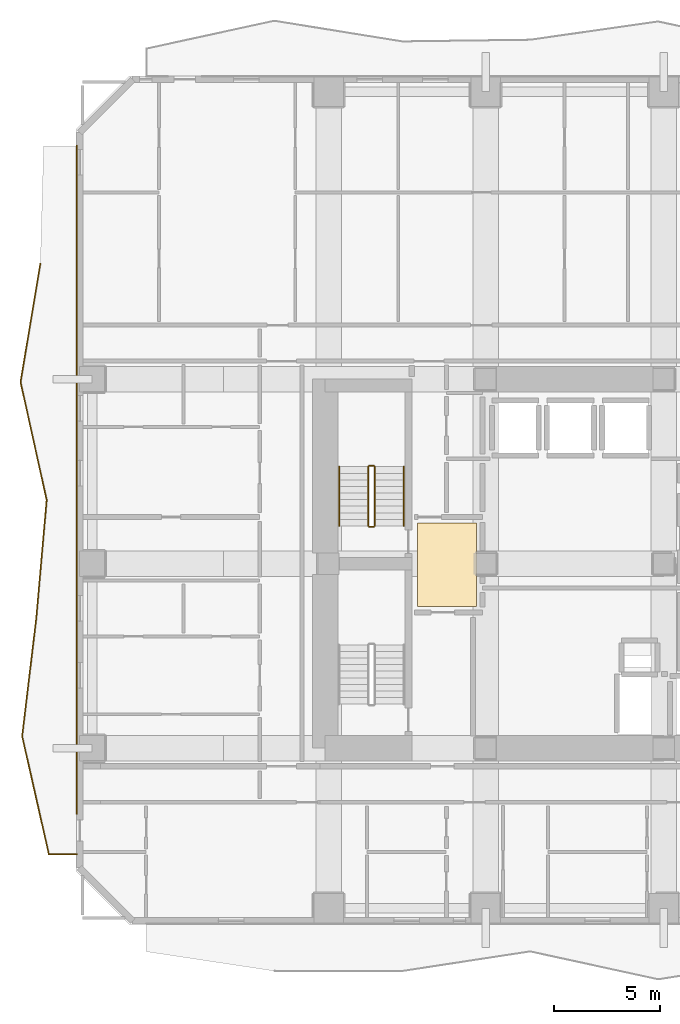
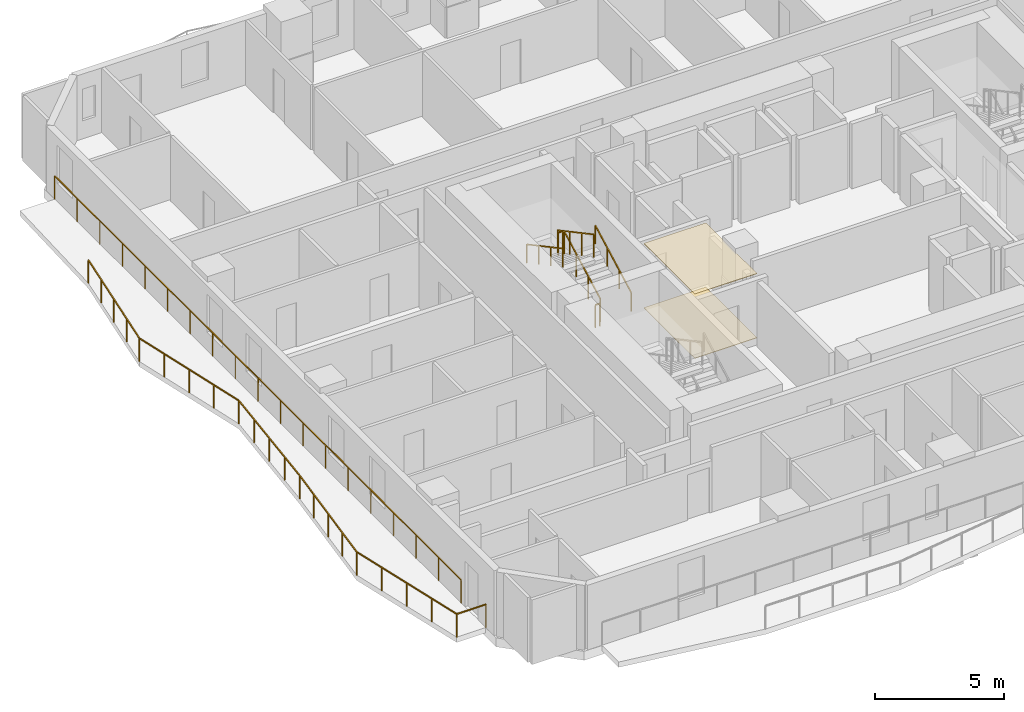
# One storey, part 10 of 12: 8 railings, 2 coverings.
"""IFC4 building model written with IfcOpenShell, lengths in metres."""

from ifc_helpers import new_model, si_unit, direction, frame, origin, origin_2d, place, context, subcontext, project, spatial, polyline, rectangle, outline, extrude, material, layer, layer_set, type_object, element, save


model = new_model("IFC4")

# Units and contexts
model_context = context("Model", 3, precision=1e-05, world=origin(), true_north=direction((0.0, 1.0)))
body_context = subcontext(model_context, "Body", "Model", "MODEL_VIEW")
ifc_project = project(units=[si_unit("LENGTHUNIT", "METRE"), si_unit("AREAUNIT", "SQUARE_METRE"), si_unit("VOLUMEUNIT", "CUBIC_METRE"), si_unit("PLANEANGLEUNIT", "RADIAN"), si_unit("MASSUNIT", "GRAM", prefix="KILO")], contexts=[model_context])

# Site, building, storey
site_placement = place(None, origin())
site = spatial("IfcSite", under=ifc_project, at=site_placement, CompositionType="ELEMENT")
building_placement = place(site_placement, origin())
building = spatial("IfcBuilding", under=site, at=building_placement, Name="Solanera Arch Residences", CompositionType="ELEMENT")
storey_placement = place(building_placement, frame((0.0, 0.0, 81.760009765625)))
storey = spatial("IfcBuildingStorey", under=building, at=storey_placement, Name="L23", CompositionType="ELEMENT", Elevation=81.760009765625)

# Railings
ifc_material_1 = material(Name="Steel S355 (ASTM A992 / A572 Grade 50)", Category="steel")
railing_type_1 = type_object("IfcRailingType", Name="Balustrade Railing BL-1100", PredefinedType="BALUSTRADE", material=ifc_material_1)
railing_1_placement = place(storey_placement, frame((-0.194091796875, 44.8330078125, 0.0)))
element("IfcRailing", 1, at=railing_1_placement, inside=storey, type_object=railing_type_1, Name="L23 W Balcony Balustrade 1", PredefinedType="BALUSTRADE", context=body_context, shape_type="SweptSolid", body=[
    extrude(rectangle(XDim=0.048095703125, YDim=0.048095703125, at=origin_2d()), frame((0.0, 0.0, 1.09619140625), z_axis=(-0.165128539006, -0.98627205456, 0.0), x_axis=(0.98627205456, -0.165128539006, 0.0)), (0.0, 0.0, 1.0), 5.643310546875),
    extrude(rectangle(XDim=0.048095703125, YDim=0.048095703125, at=origin_2d()), frame((-0.931884765625, -5.56591796875, 1.09619140625), z_axis=(0.216059905703, -0.976380108947, 0.0), x_axis=(0.976380108947, 0.216059905703, 0.0)), (0.0, 0.0, 1.0), 5.701904296875),
    extrude(rectangle(XDim=0.048095703125, YDim=0.048095703125, at=origin_2d()), frame((0.300048828125, -11.133056640625, 1.09619140625), z_axis=(-0.087679611199, -0.996148726737, 0.0), x_axis=(0.996148726737, -0.087679611199, 0.0)), (0.0, 0.0, 1.0), 5.58837890625),
    extrude(rectangle(XDim=0.048095703125, YDim=0.048095703125, at=origin_2d()), frame((-0.18994140625, -16.699951171875, 1.09619140625), z_axis=(-0.118806904127, -0.992917377999, 0.0), x_axis=(0.992917377999, -0.118806904127, 0.0)), (0.0, 0.0, 1.0), 5.60595703125),
    extrude(rectangle(XDim=0.048095703125, YDim=0.048095703125, at=origin_2d()), frame((-0.85595703125, -22.26611328125, 1.09619140625), z_axis=(0.2205930249, -0.975365940232, 0.0), x_axis=(0.975365940232, 0.2205930249, 0.0)), (0.0, 0.0, 1.0), 5.70751953125),
    extrude(rectangle(XDim=0.048095703125, YDim=0.048095703125, at=origin_2d()), frame((0.403076171875, -27.8330078125, 1.09619140625), z_axis=(1.0, 0.0, 0.0), x_axis=(0.0, 1.0, 0.0)), (0.0, 0.0, 1.0), 1.31103515625),
    extrude(rectangle(XDim=0.0419921875, YDim=0.0419921875, at=origin_2d()), origin(), (0.0, 0.0, 1.0), 1.072021484375),
    extrude(rectangle(XDim=0.0419921875, YDim=0.0419921875, at=origin_2d()), frame((-0.23291015625, -1.3916015625, 0.0)), (0.0, 0.0, 1.0), 1.072021484375),
    extrude(rectangle(XDim=0.0419921875, YDim=0.0419921875, at=origin_2d()), frame((-0.4658203125, -2.782958984375, 0.0)), (0.0, 0.0, 1.0), 1.072021484375),
    extrude(rectangle(XDim=0.0419921875, YDim=0.0419921875, at=origin_2d()), frame((-0.698974609375, -4.17431640625, 0.0)), (0.0, 0.0, 1.0), 1.072021484375),
    extrude(rectangle(XDim=0.0419921875, YDim=0.0419921875, at=origin_2d()), frame((-0.931884765625, -5.56591796875, 0.0)), (0.0, 0.0, 1.0), 1.072021484375),
    extrude(rectangle(XDim=0.0419921875, YDim=0.0419921875, at=origin_2d()), frame((-0.6240234375, -6.957763671875, 0.0)), (0.0, 0.0, 1.0), 1.072021484375),
    extrude(rectangle(XDim=0.0419921875, YDim=0.0419921875, at=origin_2d()), frame((-0.31591796875, -8.349609375, 0.0)), (0.0, 0.0, 1.0), 1.072021484375),
    extrude(rectangle(XDim=0.0419921875, YDim=0.0419921875, at=origin_2d()), frame((-0.0078125, -9.7412109375, 0.0)), (0.0, 0.0, 1.0), 1.072021484375),
    extrude(rectangle(XDim=0.0419921875, YDim=0.0419921875, at=origin_2d()), frame((0.300048828125, -11.133056640625, 0.0)), (0.0, 0.0, 1.0), 1.072021484375),
    extrude(rectangle(XDim=0.0419921875, YDim=0.0419921875, at=origin_2d()), frame((0.177490234375, -12.52490234375, 0.0)), (0.0, 0.0, 1.0), 1.072021484375),
    extrude(rectangle(XDim=0.0419921875, YDim=0.0419921875, at=origin_2d()), frame((0.05517578125, -13.91650390625, 0.0)), (0.0, 0.0, 1.0), 1.072021484375),
    extrude(rectangle(XDim=0.0419921875, YDim=0.0419921875, at=origin_2d()), frame((-0.0673828125, -15.30810546875, 0.0)), (0.0, 0.0, 1.0), 1.072021484375),
    extrude(rectangle(XDim=0.0419921875, YDim=0.0419921875, at=origin_2d()), frame((-0.18994140625, -16.699951171875, 0.0)), (0.0, 0.0, 1.0), 1.072021484375),
    extrude(rectangle(XDim=0.0419921875, YDim=0.0419921875, at=origin_2d()), frame((-0.3564453125, -18.091552734375, 0.0)), (0.0, 0.0, 1.0), 1.072021484375),
    extrude(rectangle(XDim=0.0419921875, YDim=0.0419921875, at=origin_2d()), frame((-0.52294921875, -19.48291015625, 0.0)), (0.0, 0.0, 1.0), 1.072021484375),
    extrude(rectangle(XDim=0.0419921875, YDim=0.0419921875, at=origin_2d()), frame((-0.689453125, -20.87451171875, 0.0)), (0.0, 0.0, 1.0), 1.072021484375),
    extrude(rectangle(XDim=0.0419921875, YDim=0.0419921875, at=origin_2d()), frame((-0.85595703125, -22.26611328125, 0.0)), (0.0, 0.0, 1.0), 1.072021484375),
    extrude(rectangle(XDim=0.0419921875, YDim=0.0419921875, at=origin_2d()), frame((-0.541259765625, -23.65771484375, 0.0)), (0.0, 0.0, 1.0), 1.072021484375),
    extrude(rectangle(XDim=0.0419921875, YDim=0.0419921875, at=origin_2d()), frame((-0.2265625, -25.049560546875, 0.0)), (0.0, 0.0, 1.0), 1.072021484375),
    extrude(rectangle(XDim=0.0419921875, YDim=0.0419921875, at=origin_2d()), frame((0.08837890625, -26.44140625, 0.0)), (0.0, 0.0, 1.0), 1.072021484375),
    extrude(rectangle(XDim=0.0419921875, YDim=0.0419921875, at=origin_2d()), frame((0.403076171875, -27.8330078125, 0.0)), (0.0, 0.0, 1.0), 1.072021484375),
    extrude(rectangle(XDim=0.0419921875, YDim=0.0419921875, at=origin_2d()), frame((1.714111328125, -27.8330078125, 0.0)), (0.0, 0.0, 1.0), 1.072021484375),
])
railing_2_placement = place(storey_placement, frame((1.52001953125, 18.916015625, 0.0)))
element("IfcRailing", 2, at=railing_2_placement, inside=storey, type_object=railing_type_1, Name="L23 W Balcony Balustrade 2", PredefinedType="BALUSTRADE", context=body_context, shape_type="SweptSolid", body=[
    extrude(rectangle(XDim=0.048095703125, YDim=0.048095703125, at=origin_2d()), frame((0.0, 0.0, 1.09619140625), z_axis=(0.0, 1.0, 0.0), x_axis=(-1.0, 0.0, 0.0)), (0.0, 0.0, 1.0), 31.48388671875),
    extrude(rectangle(XDim=0.0419921875, YDim=0.0419921875, at=origin_2d()), origin(), (0.0, 0.0, 1.0), 1.072021484375),
    extrude(rectangle(XDim=0.0419921875, YDim=0.0419921875, at=origin_2d()), frame((0.0, 1.7490234375, 0.0)), (0.0, 0.0, 1.0), 1.072021484375),
    extrude(rectangle(XDim=0.0419921875, YDim=0.0419921875, at=origin_2d()), frame((0.0, 3.498291015625, 0.0)), (0.0, 0.0, 1.0), 1.072021484375),
    extrude(rectangle(XDim=0.0419921875, YDim=0.0419921875, at=origin_2d()), frame((0.0, 5.247314453125, 0.0)), (0.0, 0.0, 1.0), 1.072021484375),
    extrude(rectangle(XDim=0.0419921875, YDim=0.0419921875, at=origin_2d()), frame((0.0, 6.996337890625, 0.0)), (0.0, 0.0, 1.0), 1.072021484375),
    extrude(rectangle(XDim=0.0419921875, YDim=0.0419921875, at=origin_2d()), frame((0.0, 8.74560546875, 0.0)), (0.0, 0.0, 1.0), 1.072021484375),
    extrude(rectangle(XDim=0.0419921875, YDim=0.0419921875, at=origin_2d()), frame((0.0, 10.49462890625, 0.0)), (0.0, 0.0, 1.0), 1.072021484375),
    extrude(rectangle(XDim=0.0419921875, YDim=0.0419921875, at=origin_2d()), frame((0.0, 12.24365234375, 0.0)), (0.0, 0.0, 1.0), 1.072021484375),
    extrude(rectangle(XDim=0.0419921875, YDim=0.0419921875, at=origin_2d()), frame((0.0, 13.992919921875, 0.0)), (0.0, 0.0, 1.0), 1.072021484375),
    extrude(rectangle(XDim=0.0419921875, YDim=0.0419921875, at=origin_2d()), frame((0.0, 15.741943359375, 0.0)), (0.0, 0.0, 1.0), 1.072021484375),
    extrude(rectangle(XDim=0.0419921875, YDim=0.0419921875, at=origin_2d()), frame((0.0, 17.490966796875, 0.0)), (0.0, 0.0, 1.0), 1.072021484375),
    extrude(rectangle(XDim=0.0419921875, YDim=0.0419921875, at=origin_2d()), frame((0.0, 19.240234375, 0.0)), (0.0, 0.0, 1.0), 1.072021484375),
    extrude(rectangle(XDim=0.0419921875, YDim=0.0419921875, at=origin_2d()), frame((0.0, 20.9892578125, 0.0)), (0.0, 0.0, 1.0), 1.072021484375),
    extrude(rectangle(XDim=0.0419921875, YDim=0.0419921875, at=origin_2d()), frame((0.0, 22.73828125, 0.0)), (0.0, 0.0, 1.0), 1.072021484375),
    extrude(rectangle(XDim=0.0419921875, YDim=0.0419921875, at=origin_2d()), frame((0.0, 24.487548828125, 0.0)), (0.0, 0.0, 1.0), 1.072021484375),
    extrude(rectangle(XDim=0.0419921875, YDim=0.0419921875, at=origin_2d()), frame((0.0, 26.236572265625, 0.0)), (0.0, 0.0, 1.0), 1.072021484375),
    extrude(rectangle(XDim=0.0419921875, YDim=0.0419921875, at=origin_2d()), frame((0.0, 27.985595703125, 0.0)), (0.0, 0.0, 1.0), 1.072021484375),
    extrude(rectangle(XDim=0.0419921875, YDim=0.0419921875, at=origin_2d()), frame((0.0, 29.73486328125, 0.0)), (0.0, 0.0, 1.0), 1.072021484375),
    extrude(rectangle(XDim=0.0419921875, YDim=0.0419921875, at=origin_2d()), frame((0.0, 31.48388671875, 0.0)), (0.0, 0.0, 1.0), 1.072021484375),
])

# Covering
ifc_material_2 = material(Name="Porcelain Acoustic Floor Tile", Category="ceramic")
ifc_layer_1 = layer(ifc_material_2, 0.02001953125)
ifc_layer_set_1 = layer_set([ifc_layer_1], Name="Porcelain Acoustic Floor Tile")
covering_type_1 = type_object("IfcCoveringType", Name="Porcelain Acoustic Floor Finish FLR-20", PredefinedType="FLOORING", material=ifc_layer_set_1)
covering_1_placement = place(storey_placement, origin())
element("IfcCovering", 3, at=covering_1_placement, inside=storey, type_object=covering_type_1, Name="L23-FFL-W Porcelain Floor Finish", PredefinedType="FLOORING", context=body_context, shape_type="SweptSolid", body=[
    extrude(outline(polyline([(20.375, 28.675048828125), (17.594970703125, 28.675048828125), (17.594970703125, 32.625), (20.375, 32.625), (20.375, 28.675048828125)])), origin(), (0.0, 0.0, 1.0), 0.02001953125),
])

# Railings
ifc_material_3 = material(Name="Steel S355 (ASTM A992 / A572 Grade 50)", Category="steel")
railing_type_2 = type_object("IfcRailingType", Name="Stair Guardrail GR-1100", PredefinedType="GUARDRAIL", material=ifc_material_3)
railing_3_placement = place(storey_placement, frame((15.570068359375, 32.47998046875, 0.15087890625)))
element("IfcRailing", 4, at=railing_3_placement, inside=storey, type_object=railing_type_2, Name="L23 ST-T1 stair guard 1", PredefinedType="GUARDRAIL", context=body_context, shape_type="SweptSolid", body=[
    extrude(rectangle(XDim=0.048095703125, YDim=0.048095703125, at=origin_2d()), frame((0.0, 0.0, 1.076171875), z_axis=(0.0, 0.881548766853, 0.472092969298), x_axis=(-1.0, 0.0, 0.0)), (0.0, 0.0, 1.0), 3.1650390625),
    extrude(rectangle(XDim=0.0419921875, YDim=0.0419921875, at=origin_2d()), origin(), (0.0, 0.0, 1.0), 1.052001953125),
    extrude(rectangle(XDim=0.0419921875, YDim=0.0419921875, at=origin_2d()), frame((0.0, 0.929931640625, 0.498046875)), (0.0, 0.0, 1.0), 1.052001953125),
    extrude(rectangle(XDim=0.0419921875, YDim=0.0419921875, at=origin_2d()), frame((0.0, 1.860107421875, 0.99609375)), (0.0, 0.0, 1.0), 1.052001953125),
    extrude(rectangle(XDim=0.0419921875, YDim=0.0419921875, at=origin_2d()), frame((0.0, 2.7900390625, 1.494140625)), (0.0, 0.0, 1.0), 1.052001953125),
])
railing_4_placement = place(storey_placement, frame((15.52001953125, 35.320068359375, 1.64501953125)))
element("IfcRailing", 5, at=railing_4_placement, inside=storey, type_object=railing_type_2, Name="L23 ST-T1 stair guard 2", PredefinedType="GUARDRAIL", context=body_context, shape_type="SweptSolid", body=[
    extrude(rectangle(XDim=0.048095703125, YDim=0.048095703125, at=origin_2d()), frame((0.0, 0.0, 1.076171875), z_axis=(-1.0, 0.0, 0.0), x_axis=(0.0, -1.0, 0.0)), (0.0, 0.0, 1.0), 0.199951171875),
    extrude(rectangle(XDim=0.0419921875, YDim=0.0419921875, at=origin_2d()), origin(), (0.0, 0.0, 1.0), 1.052001953125),
    extrude(rectangle(XDim=0.0419921875, YDim=0.0419921875, at=origin_2d()), frame((-0.199951171875, 0.0, 0.0)), (0.0, 0.0, 1.0), 1.052001953125),
])
railing_5_placement = place(storey_placement, frame((15.27001953125, 35.27001953125, 1.81103515625)))
element("IfcRailing", 6, at=railing_5_placement, inside=storey, type_object=railing_type_2, Name="L23 ST-T1 stair guard 3", PredefinedType="GUARDRAIL", context=body_context, shape_type="SweptSolid", body=[
    extrude(rectangle(XDim=0.048095703125, YDim=0.048095703125, at=origin_2d()), frame((0.0, 0.0, 1.076171875), z_axis=(0.0, -0.881580869306, 0.472033018838), x_axis=(1.0, 0.0, 0.0)), (0.0, 0.0, 1.0), 3.164794921875),
    extrude(rectangle(XDim=0.0419921875, YDim=0.0419921875, at=origin_2d()), origin(), (0.0, 0.0, 1.0), 1.052001953125),
    extrude(rectangle(XDim=0.0419921875, YDim=0.0419921875, at=origin_2d()), frame((0.0, -0.929931640625, 0.498046875)), (0.0, 0.0, 1.0), 1.052001953125),
    extrude(rectangle(XDim=0.0419921875, YDim=0.0419921875, at=origin_2d()), frame((0.0, -1.860107421875, 0.995849609375)), (0.0, 0.0, 1.0), 1.052001953125),
    extrude(rectangle(XDim=0.0419921875, YDim=0.0419921875, at=origin_2d()), frame((0.0, -2.7900390625, 1.493896484375)), (0.0, 0.0, 1.0), 1.052001953125),
])
railing_6_placement = place(storey_placement, frame((15.52001953125, 32.429931640625, -0.014892578125)))
element("IfcRailing", 7, at=railing_6_placement, inside=storey, type_object=railing_type_2, Name="L23 ST-T1 stair guard 4", PredefinedType="GUARDRAIL", context=body_context, shape_type="SweptSolid", body=[
    extrude(rectangle(XDim=0.048095703125, YDim=0.048095703125, at=origin_2d()), frame((0.0, 0.0, 1.076171875), z_axis=(-1.0, 0.0, 0.0), x_axis=(0.0, -1.0, 0.0)), (0.0, 0.0, 1.0), 0.199951171875),
    extrude(rectangle(XDim=0.0419921875, YDim=0.0419921875, at=origin_2d()), origin(), (0.0, 0.0, 1.0), 1.052001953125),
    extrude(rectangle(XDim=0.0419921875, YDim=0.0419921875, at=origin_2d()), frame((-0.199951171875, 0.0, 0.0)), (0.0, 0.0, 1.0), 1.052001953125),
])
ifc_material_4 = material(Name="Steel S355 (ASTM A992 / A572 Grade 50)", Category="steel")
railing_type_3 = type_object("IfcRailingType", Name="Stair Wall Handrail HR-920", PredefinedType="HANDRAIL", material=ifc_material_4)
railing_7_placement = place(storey_placement, frame((16.949951171875, 32.47998046875, 0.166015625)))
element("IfcRailing", 8, at=railing_7_placement, inside=storey, type_object=railing_type_3, Name="L23 ST-T1 stair handrail 1", PredefinedType="HANDRAIL", context=body_context, shape_type="SweptSolid", body=[
    extrude(rectangle(XDim=0.048095703125, YDim=0.048095703125, at=origin_2d()), frame((0.0, 0.0, 0.8759765625), z_axis=(0.0, 0.881580869306, 0.472033018838), x_axis=(-1.0, 0.0, 0.0)), (0.0, 0.0, 1.0), 3.164794921875),
    extrude(rectangle(XDim=0.0419921875, YDim=0.0419921875, at=origin_2d()), origin(), (0.0, 0.0, 1.0), 0.851806640625),
    extrude(rectangle(XDim=0.0419921875, YDim=0.0419921875, at=origin_2d()), frame((0.0, 0.929931640625, 0.498046875)), (0.0, 0.0, 1.0), 0.851806640625),
    extrude(rectangle(XDim=0.0419921875, YDim=0.0419921875, at=origin_2d()), frame((0.0, 1.860107421875, 0.995849609375)), (0.0, 0.0, 1.0), 0.851806640625),
    extrude(rectangle(XDim=0.0419921875, YDim=0.0419921875, at=origin_2d()), frame((0.0, 2.7900390625, 1.493896484375)), (0.0, 0.0, 1.0), 0.851806640625),
])
railing_8_placement = place(storey_placement, frame((13.889892578125, 35.27001953125, 1.825927734375)))
element("IfcRailing", 9, at=railing_8_placement, inside=storey, type_object=railing_type_3, Name="L23 ST-T1 stair handrail 2", PredefinedType="HANDRAIL", context=body_context, shape_type="SweptSolid", body=[
    extrude(rectangle(XDim=0.048095703125, YDim=0.048095703125, at=origin_2d()), frame((0.0, 0.0, 0.8759765625), z_axis=(0.0, -0.881548766853, 0.472092969298), x_axis=(1.0, 0.0, 0.0)), (0.0, 0.0, 1.0), 3.1650390625),
    extrude(rectangle(XDim=0.0419921875, YDim=0.0419921875, at=origin_2d()), origin(), (0.0, 0.0, 1.0), 0.851806640625),
    extrude(rectangle(XDim=0.0419921875, YDim=0.0419921875, at=origin_2d()), frame((0.0, -0.929931640625, 0.498046875)), (0.0, 0.0, 1.0), 0.851806640625),
    extrude(rectangle(XDim=0.0419921875, YDim=0.0419921875, at=origin_2d()), frame((0.0, -1.860107421875, 0.99609375)), (0.0, 0.0, 1.0), 0.851806640625),
    extrude(rectangle(XDim=0.0419921875, YDim=0.0419921875, at=origin_2d()), frame((0.0, -2.7900390625, 1.494140625)), (0.0, 0.0, 1.0), 0.851806640625),
])

# Covering
ifc_material_5 = material(Name="Mineral Fibre Acoustic Ceiling Board", Category="gypsum")
ifc_layer_2 = layer(ifc_material_5, 0.02490234375)
ifc_layer_set_2 = layer_set([ifc_layer_2], Name="Mineral Fibre Acoustic Ceiling Board")
covering_type_2 = type_object("IfcCoveringType", Name="Suspended Acoustic Ceiling Board CLG-25", PredefinedType="CEILING", material=ifc_layer_set_2)
covering_2_placement = place(storey_placement, frame((0.0, 0.0, 3.034912109375)))
element("IfcCovering", 10, at=covering_2_placement, inside=storey, type_object=covering_type_2, Name="L23-FFL-W Acoustic Ceiling", PredefinedType="CEILING", context=body_context, shape_type="SweptSolid", body=[
    extrude(outline(polyline([(20.375, 28.675048828125), (17.594970703125, 28.675048828125), (17.594970703125, 32.625), (20.375, 32.625), (20.375, 28.675048828125)])), origin(), (0.0, 0.0, 1.0), 0.025146484375),
])

save(model, "model.ifc")
